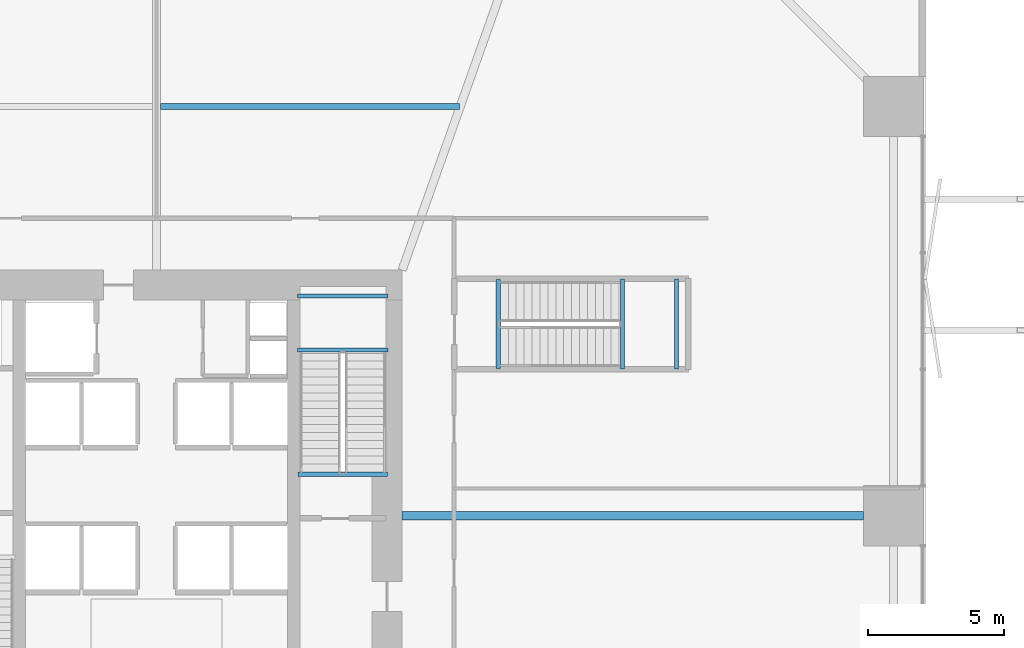
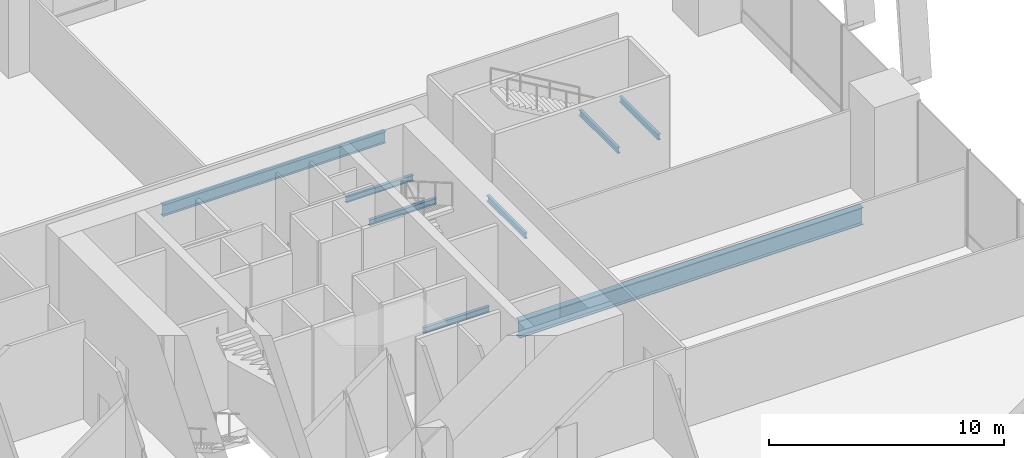
# One storey, part 14 of 24: 8 beams.
"""IFC4 building model written with IfcOpenShell, lengths in metres."""

from ifc_helpers import new_model, si_unit, direction, frame, origin, origin_2d, place, context, subcontext, project, spatial, i_section, extrude, material, material_profile, profile_set, type_object, element, save


model = new_model("IFC4")

# Units and contexts
model_context = context("Model", 3, precision=1e-05, world=origin(), true_north=direction((0.0, 1.0)))
body_context = subcontext(model_context, "Body", "Model", "MODEL_VIEW")
ifc_project = project(units=[si_unit("LENGTHUNIT", "METRE"), si_unit("AREAUNIT", "SQUARE_METRE"), si_unit("VOLUMEUNIT", "CUBIC_METRE"), si_unit("PLANEANGLEUNIT", "RADIAN"), si_unit("MASSUNIT", "GRAM", prefix="KILO")], contexts=[model_context])

# Site, building, storey
site_placement = place(None, origin())
site = spatial("IfcSite", under=ifc_project, at=site_placement, CompositionType="ELEMENT")
building_placement = place(site_placement, origin())
building = spatial("IfcBuilding", under=site, at=building_placement, Name="Belovzor Exchange Tower", CompositionType="ELEMENT")
storey_placement = place(building_placement, frame((0.0, 0.0, 13.800048828125)))
storey = spatial("IfcBuildingStorey", under=building, at=storey_placement, Name="L03", CompositionType="ELEMENT", Elevation=13.800048828125)

# Beams
ifc_material_1 = material(Name="Steel S460", Category="steel")
ifc_material_profile_1 = material_profile(ifc_material_1, i_section(OverallWidth=0.300048828125, OverallDepth=0.89990234375, WebThickness=0.0185546875, FlangeThickness=0.034912109375, at=origin_2d()))
ifc_profile_set_1 = profile_set([ifc_material_profile_1], Name="Steel S460")
beam_type_1 = type_object("IfcBeamType", Name="Podium Radial Clear-Span Girder HEB 900", PredefinedType="BEAM", material=ifc_profile_set_1)
beam_1_placement = place(storey_placement, frame((37.800048828125, 28.800048828125, -0.800048828125), z_axis=(1.0, 0.0, 0.0), x_axis=(0.0, 1.0, 0.0)))
element("IfcBeam", 1, at=beam_1_placement, inside=storey, type_object=beam_type_1, Name="PG-2 Podium Radial Clear-Span Girder HEB 900", PredefinedType="BEAM", context=body_context, shape_type="SweptSolid", body=[
    extrude(i_section(OverallWidth=0.300048828125, OverallDepth=0.89990234375, WebThickness=0.0185546875, FlangeThickness=0.034912109375, at=origin_2d()), origin(), (0.0, 0.0, 1.0), 16.89990234375),
])
ifc_material_2 = material(Name="Steel S355", Category="steel")
ifc_material_profile_2 = material_profile(ifc_material_2, i_section(OverallWidth=0.219970703125, OverallDepth=0.60009765625, WebThickness=0.011962890625, FlangeThickness=0.01904296875, at=origin_2d()))
ifc_profile_set_2 = profile_set([ifc_material_profile_2], Name="Steel S355")
beam_type_2 = type_object("IfcBeamType", Name="Podium Secondary Composite Floor Beam IPE 600", PredefinedType="BEAM", material=ifc_profile_set_2)
beam_2_placement = place(storey_placement, frame((28.949951171875, 43.800048828125, -0.650146484375), z_axis=(1.0, 0.0, 0.0), x_axis=(0.0, 1.0, 0.0)))
element("IfcBeam", 2, at=beam_2_placement, inside=storey, type_object=beam_type_2, Name="FB-600 Podium Secondary Composite Floor Beam IPE 600", PredefinedType="BEAM", context=body_context, shape_type="SweptSolid", body=[
    extrude(i_section(OverallWidth=0.219970703125, OverallDepth=0.60009765625, WebThickness=0.011962890625, FlangeThickness=0.01904296875, at=origin_2d()), origin(), (0.0, 0.0, 1.0), 10.9599609375),
])
ifc_material_3 = material(Name="Steel S355", Category="steel")
ifc_material_profile_3 = material_profile(ifc_material_3, i_section(OverallWidth=0.14990234375, OverallDepth=0.300048828125, WebThickness=0.007080078125, FlangeThickness=0.0107421875, at=origin_2d()))
ifc_profile_set_3 = profile_set([ifc_material_profile_3], Name="Steel S355")
beam_type_3 = type_object("IfcBeamType", Name="Secondary Trim Floor Joist IPE 300", PredefinedType="BEAM", material=ifc_profile_set_3)
for number, where, z_axis, x_axis, name in (
    (3, (37.280029296875, 34.8701171875, 2.349853515625), (-1.0, 0.0, 0.0), (0.0, -1.0, 0.0), "FJ-300 Secondary Trim Floor Joist IPE 300"),
    (4, (37.280029296875, 36.85009765625, 2.349853515625), (-1.0, 0.0, 0.0), (0.0, -1.0, 0.0), "FJ-300 Secondary Trim Floor Joist IPE 300"),
):
    element("IfcBeam", number, at=place(storey_placement, frame(where, z_axis=z_axis, x_axis=x_axis)), inside=storey, type_object=beam_type_3, Name=name, PredefinedType="BEAM", context=body_context, shape_type="SweptSolid", body=[
        extrude(i_section(OverallWidth=0.14990234375, OverallDepth=0.300048828125, WebThickness=0.007080078125, FlangeThickness=0.0107421875, at=origin_2d()), origin(), (0.0, 0.0, 1.0), 3.31005859375),
    ])
beam_3_placement = place(storey_placement, frame((37.260009765625, 30.320068359375, -0.5), z_axis=(-1.0, 0.0, 0.0), x_axis=(0.0, -1.0, 0.0)))
element("IfcBeam", 5, at=beam_3_placement, inside=storey, type_object=beam_type_3, Name="FJ-300 Secondary Trim Floor Joist IPE 300", PredefinedType="BEAM", context=body_context, shape_type="SweptSolid", body=[
    extrude(i_section(OverallWidth=0.14990234375, OverallDepth=0.300048828125, WebThickness=0.007080078125, FlangeThickness=0.0107421875, at=origin_2d()), origin(), (0.0, 0.0, 1.0), 3.27001953125),
])
for number, where, z_axis, x_axis, name in (
    (6, (45.8701171875, 34.169921875, 2.349853515625), (0.0, 1.0, 0.0), (-1.0, 0.0, 0.0), "FJ-300 Secondary Trim Floor Joist IPE 300"),
    (7, (47.85009765625, 34.169921875, 2.349853515625), (0.0, 1.0, 0.0), (-1.0, 0.0, 0.0), "FJ-300 Secondary Trim Floor Joist IPE 300"),
):
    element("IfcBeam", number, at=place(storey_placement, frame(where, z_axis=z_axis, x_axis=x_axis)), inside=storey, type_object=beam_type_3, Name=name, PredefinedType="BEAM", context=body_context, shape_type="SweptSolid", body=[
        extrude(i_section(OverallWidth=0.14990234375, OverallDepth=0.300048828125, WebThickness=0.007080078125, FlangeThickness=0.0107421875, at=origin_2d()), origin(), (0.0, 0.0, 1.0), 3.31005859375),
    ])
beam_4_placement = place(storey_placement, frame((41.320068359375, 34.18994140625, -0.5), z_axis=(0.0, 1.0, 0.0), x_axis=(-1.0, 0.0, 0.0)))
element("IfcBeam", 8, at=beam_4_placement, inside=storey, type_object=beam_type_3, Name="FJ-300 Secondary Trim Floor Joist IPE 300", PredefinedType="BEAM", context=body_context, shape_type="SweptSolid", body=[
    extrude(i_section(OverallWidth=0.14990234375, OverallDepth=0.300048828125, WebThickness=0.007080078125, FlangeThickness=0.0107421875, at=origin_2d()), origin(), (0.0, 0.0, 1.0), 3.27001953125),
])

save(model, "model.ifc")
